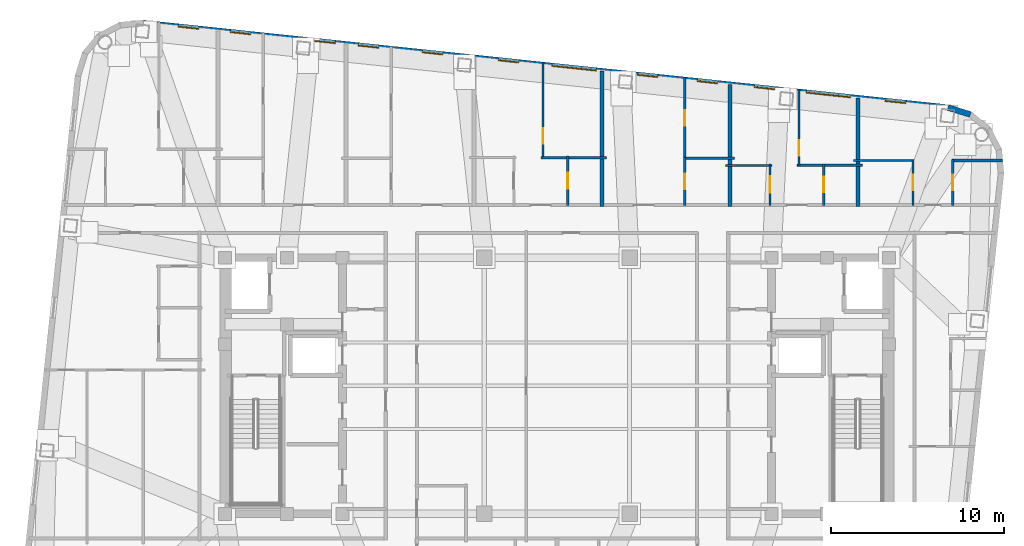
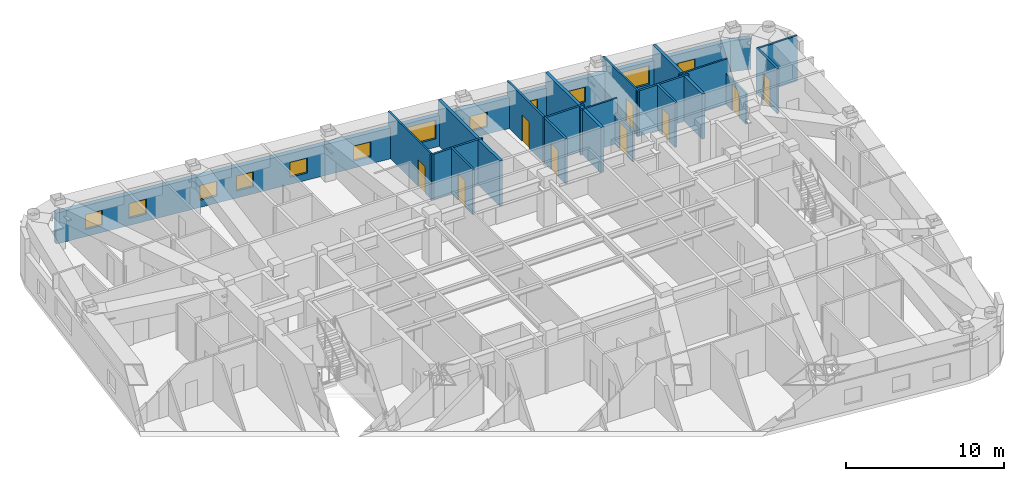
# One storey, part 9 of 12: 20 walls, 12 windows, 9 doors, 21 openings.
"""IFC4 building model written with IfcOpenShell, lengths in metres."""

from ifc_helpers import new_model, si_unit, direction, frame, frame_2d, origin, place, context, subcontext, project, spatial, rectangle, extrude, material, layer, layer_set, type_object, element, fill, save


model = new_model("IFC4")

# Units and contexts
model_context = context("Model", 3, precision=1e-05, world=origin(), true_north=direction((0.0, 1.0)))
body_context = subcontext(model_context, "Body", "Model", "MODEL_VIEW")
ifc_project = project(units=[si_unit("LENGTHUNIT", "METRE"), si_unit("AREAUNIT", "SQUARE_METRE"), si_unit("VOLUMEUNIT", "CUBIC_METRE"), si_unit("PLANEANGLEUNIT", "RADIAN"), si_unit("MASSUNIT", "GRAM", prefix="KILO")], contexts=[model_context])

# Site, building, storey
site_placement = place(None, origin())
site = spatial("IfcSite", under=ifc_project, at=site_placement, CompositionType="ELEMENT")
building_placement = place(site_placement, origin())
building = spatial("IfcBuilding", under=site, at=building_placement, Name="Voryun Gate Residences", CompositionType="ELEMENT")
storey_placement = place(building_placement, frame((0.0, 0.0, 306.800048828125)))
storey = spatial("IfcBuildingStorey", under=building, at=storey_placement, Name="L76", CompositionType="ELEMENT", Elevation=306.800048828125)

# Wall, openings, windows
ifc_material_1 = material(Name="Charcoal terracotta masonry", Category="masonry")
ifc_layer_1 = layer(ifc_material_1, 0.340087890625, Name="W_EXT_TERRACOTTA_340")
ifc_layer_set_1 = layer_set([ifc_layer_1], Name="Charcoal terracotta masonry")
wall_type_1 = type_object("IfcWallType", Name="W_EXT_TERRACOTTA_340", PredefinedType="ELEMENTEDWALL", material=ifc_layer_set_1)
wall_1_placement = place(storey_placement, frame((-23.90771484375, 20.97216796875, 0.0), z_axis=(0.0, 0.0, 1.0), x_axis=(0.994521888554, -0.104528528102, 0.0)))
wall_1 = element("IfcWall", 1, at=wall_1_placement, inside=storey, type_object=wall_type_1, Name="Exterior wall WEXT-L76-11", PredefinedType="ELEMENTEDWALL", context=body_context, shape_type="SweptSolid", body=[
    extrude(rectangle(XDim=46.766357421875, YDim=0.340087890625, at=frame_2d((23.38330078125, 0.0))), origin(), (0.0, 0.0, 1.0), 2.389892578125),
])
opening_1_placement = place(wall_1_placement, frame((23.733154296875, 0.0, 0.64990234375)))
opening_1 = element("IfcOpeningElement", 2, at=opening_1_placement, cuts=wall_1, Name="Opening WN4", PredefinedType="OPENING", context=body_context, shape_type="SweptSolid", body=[
    extrude(rectangle(XDim=2.60009765625, YDim=1.449951171875, at=frame_2d((1.300048828125, 0.72509765625))), frame((0.0, 0.179931640625, 0.0), z_axis=(0.0, -1.0, 0.0), x_axis=(1.0, 0.0, 0.0)), (0.0, 0.0, 1.0), 0.360107421875),
])
opening_2_placement = place(wall_1_placement, frame((38.522216796875, 0.0, 0.64990234375)))
opening_2 = element("IfcOpeningElement", 3, at=opening_2_placement, cuts=wall_1, Name="Opening WN4", PredefinedType="OPENING", context=body_context, shape_type="SweptSolid", body=[
    extrude(rectangle(XDim=2.60009765625, YDim=1.449951171875, at=frame_2d((1.300048828125, 0.72509765625))), frame((0.0, 0.179931640625, 0.0), z_axis=(0.0, -1.0, 0.0), x_axis=(1.0, 0.0, 0.0)), (0.0, 0.0, 1.0), 0.360107421875),
])
opening_3_placement = place(wall_1_placement, frame((2.019287109375, 0.0, 0.550048828125)))
opening_3 = element("IfcOpeningElement", 4, at=opening_3_placement, cuts=wall_1, Name="Opening WN6", PredefinedType="OPENING", context=body_context, shape_type="SweptSolid", body=[
    extrude(rectangle(XDim=1.199951171875, YDim=1.14990234375, at=frame_2d((0.60009765625, 0.574951171875))), frame((0.0, 0.179931640625, 0.0), z_axis=(0.0, -1.0, 0.0), x_axis=(1.0, 0.0, 0.0)), (0.0, 0.0, 1.0), 0.360107421875),
])
opening_4_placement = place(wall_1_placement, frame((9.96630859375, 0.0, 0.550048828125)))
opening_4 = element("IfcOpeningElement", 5, at=opening_4_placement, cuts=wall_1, Name="Opening WN6", PredefinedType="OPENING", context=body_context, shape_type="SweptSolid", body=[
    extrude(rectangle(XDim=1.199951171875, YDim=1.14990234375, at=frame_2d((0.60009765625, 0.574951171875))), frame((0.0, 0.179931640625, 0.0), z_axis=(0.0, -1.0, 0.0), x_axis=(1.0, 0.0, 0.0)), (0.0, 0.0, 1.0), 0.360107421875),
])
opening_5_placement = place(wall_1_placement, frame((5.0458984375, 0.0, 0.550048828125)))
opening_5 = element("IfcOpeningElement", 6, at=opening_5_placement, cuts=wall_1, Name="Opening WN6", PredefinedType="OPENING", context=body_context, shape_type="SweptSolid", body=[
    extrude(rectangle(XDim=1.199951171875, YDim=1.14990234375, at=frame_2d((0.60009765625, 0.574951171875))), frame((0.0, 0.179931640625, 0.0), z_axis=(0.0, -1.0, 0.0), x_axis=(1.0, 0.0, 0.0)), (0.0, 0.0, 1.0), 0.360107421875),
])
opening_6_placement = place(wall_1_placement, frame((16.207275390625, 0.0, 0.550048828125)))
opening_6 = element("IfcOpeningElement", 7, at=opening_6_placement, cuts=wall_1, Name="Opening WN6", PredefinedType="OPENING", context=body_context, shape_type="SweptSolid", body=[
    extrude(rectangle(XDim=1.199951171875, YDim=1.14990234375, at=frame_2d((0.60009765625, 0.574951171875))), frame((0.0, 0.179931640625, 0.0), z_axis=(0.0, -1.0, 0.0), x_axis=(1.0, 0.0, 0.0)), (0.0, 0.0, 1.0), 0.360107421875),
])
opening_7_placement = place(wall_1_placement, frame((12.48681640625, 0.0, 0.550048828125)))
opening_7 = element("IfcOpeningElement", 8, at=opening_7_placement, cuts=wall_1, Name="Opening WN6", PredefinedType="OPENING", context=body_context, shape_type="SweptSolid", body=[
    extrude(rectangle(XDim=1.199951171875, YDim=1.14990234375, at=frame_2d((0.60009765625, 0.574951171875))), frame((0.0, 0.179931640625, 0.0), z_axis=(0.0, -1.0, 0.0), x_axis=(1.0, 0.0, 0.0)), (0.0, 0.0, 1.0), 0.360107421875),
])
opening_8_placement = place(wall_1_placement, frame((20.621337890625, 0.0, 0.550048828125)))
opening_8 = element("IfcOpeningElement", 9, at=opening_8_placement, cuts=wall_1, Name="Opening WN6", PredefinedType="OPENING", context=body_context, shape_type="SweptSolid", body=[
    extrude(rectangle(XDim=1.199951171875, YDim=1.14990234375, at=frame_2d((0.60009765625, 0.574951171875))), frame((0.0, 0.179931640625, 0.0), z_axis=(0.0, -1.0, 0.0), x_axis=(1.0, 0.0, 0.0)), (0.0, 0.0, 1.0), 0.360107421875),
])
opening_9_placement = place(wall_1_placement, frame((28.704345703125, 0.0, 0.550048828125)))
opening_9 = element("IfcOpeningElement", 10, at=opening_9_placement, cuts=wall_1, Name="Opening WN6", PredefinedType="OPENING", context=body_context, shape_type="SweptSolid", body=[
    extrude(rectangle(XDim=1.199951171875, YDim=1.14990234375, at=frame_2d((0.60009765625, 0.574951171875))), frame((0.0, 0.179931640625, 0.0), z_axis=(0.0, -1.0, 0.0), x_axis=(1.0, 0.0, 0.0)), (0.0, 0.0, 1.0), 0.360107421875),
])
opening_10_placement = place(wall_1_placement, frame((32.184814453125, 0.0, 0.550048828125)))
opening_10 = element("IfcOpeningElement", 11, at=opening_10_placement, cuts=wall_1, Name="Opening WN6", PredefinedType="OPENING", context=body_context, shape_type="SweptSolid", body=[
    extrude(rectangle(XDim=1.199951171875, YDim=1.14990234375, at=frame_2d((0.60009765625, 0.574951171875))), frame((0.0, 0.179931640625, 0.0), z_axis=(0.0, -1.0, 0.0), x_axis=(1.0, 0.0, 0.0)), (0.0, 0.0, 1.0), 0.360107421875),
])
opening_11_placement = place(wall_1_placement, frame((35.5029296875, 0.0, 0.550048828125)))
opening_11 = element("IfcOpeningElement", 12, at=opening_11_placement, cuts=wall_1, Name="Opening WN6", PredefinedType="OPENING", context=body_context, shape_type="SweptSolid", body=[
    extrude(rectangle(XDim=1.199951171875, YDim=1.14990234375, at=frame_2d((0.60009765625, 0.574951171875))), frame((0.0, 0.179931640625, 0.0), z_axis=(0.0, -1.0, 0.0), x_axis=(1.0, 0.0, 0.0)), (0.0, 0.0, 1.0), 0.360107421875),
])
opening_12_placement = place(wall_1_placement, frame((43.105712890625, 0.0, 0.550048828125)))
opening_12 = element("IfcOpeningElement", 13, at=opening_12_placement, cuts=wall_1, Name="Opening WN6", PredefinedType="OPENING", context=body_context, shape_type="SweptSolid", body=[
    extrude(rectangle(XDim=1.199951171875, YDim=1.14990234375, at=frame_2d((0.60009765625, 0.574951171875))), frame((0.0, 0.179931640625, 0.0), z_axis=(0.0, -1.0, 0.0), x_axis=(1.0, 0.0, 0.0)), (0.0, 0.0, 1.0), 0.360107421875),
])
ifc_material_2 = material(Name="Laminated low-E glass", Category="glass")
window_type_1 = type_object("IfcWindowType", Name="WN_PENT_TALL_2600", PartitioningType="SINGLE_PANEL", PredefinedType="WINDOW", material=ifc_material_2)
window_1_placement = place(opening_1_placement, origin())
window_1 = element("IfcWindow", 14, at=window_1_placement, inside=storey, type_object=window_type_1, Name="Window WN-WEXT-L76-11-02", OverallHeight=1.449951171875, OverallWidth=2.60009765625, PartitioningType="SINGLE_PANEL", PredefinedType="WINDOW", context=body_context, shape_type="SweptSolid", body=[
    extrude(rectangle(XDim=2.60009765625, YDim=1.449951171875, at=frame_2d((1.300048828125, 0.72509765625))), frame((0.0, 0.030029296875, 0.0), z_axis=(0.0, -1.0, 0.0), x_axis=(1.0, 0.0, 0.0)), (0.0, 0.0, 1.0), 0.06005859375),
])
fill(opening_1, window_1)
window_2_placement = place(opening_2_placement, origin())
window_2 = element("IfcWindow", 15, at=window_2_placement, inside=storey, type_object=window_type_1, Name="Window WN-WEXT-L76-11-03", OverallHeight=1.449951171875, OverallWidth=2.60009765625, PartitioningType="SINGLE_PANEL", PredefinedType="WINDOW", context=body_context, shape_type="SweptSolid", body=[
    extrude(rectangle(XDim=2.60009765625, YDim=1.449951171875, at=frame_2d((1.300048828125, 0.72509765625))), frame((0.0, 0.030029296875, 0.0), z_axis=(0.0, -1.0, 0.0), x_axis=(1.0, 0.0, 0.0)), (0.0, 0.0, 1.0), 0.06005859375),
])
fill(opening_2, window_2)
ifc_material_3 = material(Name="Laminated low-E glass", Category="glass")
window_type_2 = type_object("IfcWindowType", Name="WN_POD_SLOT_1200", PartitioningType="SINGLE_PANEL", PredefinedType="WINDOW", material=ifc_material_3)
window_3_placement = place(opening_3_placement, origin())
window_3 = element("IfcWindow", 16, at=window_3_placement, inside=storey, type_object=window_type_2, Name="Window WN-L76-DWFIX-02", OverallHeight=1.14990234375, OverallWidth=1.199951171875, PartitioningType="SINGLE_PANEL", PredefinedType="WINDOW", context=body_context, shape_type="SweptSolid", body=[
    extrude(rectangle(XDim=1.199951171875, YDim=1.14990234375, at=frame_2d((0.60009765625, 0.574951171875))), frame((0.0, 0.030029296875, 0.0), z_axis=(0.0, -1.0, 0.0), x_axis=(1.0, 0.0, 0.0)), (0.0, 0.0, 1.0), 0.06005859375),
])
fill(opening_3, window_3)
window_4_placement = place(opening_4_placement, origin())
window_4 = element("IfcWindow", 17, at=window_4_placement, inside=storey, type_object=window_type_2, Name="Window WN-L76-DWFIX-03", OverallHeight=1.14990234375, OverallWidth=1.199951171875, PartitioningType="SINGLE_PANEL", PredefinedType="WINDOW", context=body_context, shape_type="SweptSolid", body=[
    extrude(rectangle(XDim=1.199951171875, YDim=1.14990234375, at=frame_2d((0.60009765625, 0.574951171875))), frame((0.0, 0.030029296875, 0.0), z_axis=(0.0, -1.0, 0.0), x_axis=(1.0, 0.0, 0.0)), (0.0, 0.0, 1.0), 0.06005859375),
])
fill(opening_4, window_4)
window_5_placement = place(opening_5_placement, origin())
window_5 = element("IfcWindow", 18, at=window_5_placement, inside=storey, type_object=window_type_2, Name="Window WN-L76-DWFIX-04", OverallHeight=1.14990234375, OverallWidth=1.199951171875, PartitioningType="SINGLE_PANEL", PredefinedType="WINDOW", context=body_context, shape_type="SweptSolid", body=[
    extrude(rectangle(XDim=1.199951171875, YDim=1.14990234375, at=frame_2d((0.60009765625, 0.574951171875))), frame((0.0, 0.030029296875, 0.0), z_axis=(0.0, -1.0, 0.0), x_axis=(1.0, 0.0, 0.0)), (0.0, 0.0, 1.0), 0.06005859375),
])
fill(opening_5, window_5)
window_6_placement = place(opening_6_placement, origin())
window_6 = element("IfcWindow", 19, at=window_6_placement, inside=storey, type_object=window_type_2, Name="Window WN-L76-DWFIX-05", OverallHeight=1.14990234375, OverallWidth=1.199951171875, PartitioningType="SINGLE_PANEL", PredefinedType="WINDOW", context=body_context, shape_type="SweptSolid", body=[
    extrude(rectangle(XDim=1.199951171875, YDim=1.14990234375, at=frame_2d((0.60009765625, 0.574951171875))), frame((0.0, 0.030029296875, 0.0), z_axis=(0.0, -1.0, 0.0), x_axis=(1.0, 0.0, 0.0)), (0.0, 0.0, 1.0), 0.06005859375),
])
fill(opening_6, window_6)
window_7_placement = place(opening_7_placement, origin())
window_7 = element("IfcWindow", 20, at=window_7_placement, inside=storey, type_object=window_type_2, Name="Window WN-L76-DWFIX-06", OverallHeight=1.14990234375, OverallWidth=1.199951171875, PartitioningType="SINGLE_PANEL", PredefinedType="WINDOW", context=body_context, shape_type="SweptSolid", body=[
    extrude(rectangle(XDim=1.199951171875, YDim=1.14990234375, at=frame_2d((0.60009765625, 0.574951171875))), frame((0.0, 0.030029296875, 0.0), z_axis=(0.0, -1.0, 0.0), x_axis=(1.0, 0.0, 0.0)), (0.0, 0.0, 1.0), 0.06005859375),
])
fill(opening_7, window_7)
window_8_placement = place(opening_8_placement, origin())
window_8 = element("IfcWindow", 21, at=window_8_placement, inside=storey, type_object=window_type_2, Name="Window WN-L76-DWFIX-07", OverallHeight=1.14990234375, OverallWidth=1.199951171875, PartitioningType="SINGLE_PANEL", PredefinedType="WINDOW", context=body_context, shape_type="SweptSolid", body=[
    extrude(rectangle(XDim=1.199951171875, YDim=1.14990234375, at=frame_2d((0.60009765625, 0.574951171875))), frame((0.0, 0.030029296875, 0.0), z_axis=(0.0, -1.0, 0.0), x_axis=(1.0, 0.0, 0.0)), (0.0, 0.0, 1.0), 0.06005859375),
])
fill(opening_8, window_8)
window_9_placement = place(opening_9_placement, origin())
window_9 = element("IfcWindow", 22, at=window_9_placement, inside=storey, type_object=window_type_2, Name="Window WN-L76-DWFIX-08", OverallHeight=1.14990234375, OverallWidth=1.199951171875, PartitioningType="SINGLE_PANEL", PredefinedType="WINDOW", context=body_context, shape_type="SweptSolid", body=[
    extrude(rectangle(XDim=1.199951171875, YDim=1.14990234375, at=frame_2d((0.60009765625, 0.574951171875))), frame((0.0, 0.030029296875, 0.0), z_axis=(0.0, -1.0, 0.0), x_axis=(1.0, 0.0, 0.0)), (0.0, 0.0, 1.0), 0.06005859375),
])
fill(opening_9, window_9)
window_10_placement = place(opening_10_placement, origin())
window_10 = element("IfcWindow", 23, at=window_10_placement, inside=storey, type_object=window_type_2, Name="Window WN-L76-DWFIX-09", OverallHeight=1.14990234375, OverallWidth=1.199951171875, PartitioningType="SINGLE_PANEL", PredefinedType="WINDOW", context=body_context, shape_type="SweptSolid", body=[
    extrude(rectangle(XDim=1.199951171875, YDim=1.14990234375, at=frame_2d((0.60009765625, 0.574951171875))), frame((0.0, 0.030029296875, 0.0), z_axis=(0.0, -1.0, 0.0), x_axis=(1.0, 0.0, 0.0)), (0.0, 0.0, 1.0), 0.06005859375),
])
fill(opening_10, window_10)
window_11_placement = place(opening_11_placement, origin())
window_11 = element("IfcWindow", 24, at=window_11_placement, inside=storey, type_object=window_type_2, Name="Window WN-L76-DWFIX-10", OverallHeight=1.14990234375, OverallWidth=1.199951171875, PartitioningType="SINGLE_PANEL", PredefinedType="WINDOW", context=body_context, shape_type="SweptSolid", body=[
    extrude(rectangle(XDim=1.199951171875, YDim=1.14990234375, at=frame_2d((0.60009765625, 0.574951171875))), frame((0.0, 0.030029296875, 0.0), z_axis=(0.0, -1.0, 0.0), x_axis=(1.0, 0.0, 0.0)), (0.0, 0.0, 1.0), 0.06005859375),
])
fill(opening_11, window_11)
window_12_placement = place(opening_12_placement, origin())
window_12 = element("IfcWindow", 25, at=window_12_placement, inside=storey, type_object=window_type_2, Name="Window WN-L76-DWFIX-11", OverallHeight=1.14990234375, OverallWidth=1.199951171875, PartitioningType="SINGLE_PANEL", PredefinedType="WINDOW", context=body_context, shape_type="SweptSolid", body=[
    extrude(rectangle(XDim=1.199951171875, YDim=1.14990234375, at=frame_2d((0.60009765625, 0.574951171875))), frame((0.0, 0.030029296875, 0.0), z_axis=(0.0, -1.0, 0.0), x_axis=(1.0, 0.0, 0.0)), (0.0, 0.0, 1.0), 0.06005859375),
])
fill(opening_12, window_12)

# Walls
wall_2_placement = place(storey_placement, frame((22.6025390625, 16.083740234375, 0.0), z_axis=(0.0, 0.0, 1.0), x_axis=(0.955007802701, -0.296580674994, 0.0)))
element("IfcWall", 26, at=wall_2_placement, inside=storey, type_object=wall_type_1, Name="Exterior wall WEXT-L76-12", PredefinedType="ELEMENTEDWALL", context=body_context, shape_type="SweptSolid", body=[
    extrude(rectangle(XDim=1.354248046875, YDim=0.340087890625, at=frame_2d((0.67724609375, 0.0))), origin(), (0.0, 0.0, 1.0), 2.389892578125),
])
ifc_material_4 = material(Name="Concrete C40/50", Category="concrete")
ifc_layer_2 = layer(ifc_material_4, 0.219970703125, Name="W_PARTY_ACOUSTIC_220")
ifc_layer_set_2 = layer_set([ifc_layer_2], Name="Concrete C40/50")
wall_type_2 = type_object("IfcWallType", Name="W_PARTY_ACOUSTIC_220", PredefinedType="PARTITIONING", material=ifc_layer_set_2)
wall_3_placement = place(storey_placement, frame((2.60009765625, 10.3701171875, 0.0), z_axis=(0.0, 0.0, 1.0), x_axis=(0.0, 1.0, 0.0)))
element("IfcWall", 27, at=wall_3_placement, inside=storey, type_object=wall_type_2, Name="Partition wall WP-L76-NPTY-4", PredefinedType="PARTITIONING", context=body_context, shape_type="SweptSolid", body=[
    extrude(rectangle(XDim=7.81591796875, YDim=0.219970703125, at=frame_2d((3.907958984375, 0.0))), origin(), (0.0, 0.0, 1.0), 3.5),
])
wall_4_placement = place(storey_placement, frame((10.0, 10.3701171875, 0.0), z_axis=(0.0, 0.0, 1.0), x_axis=(0.0, 1.0, 0.0)))
element("IfcWall", 28, at=wall_4_placement, inside=storey, type_object=wall_type_2, Name="Partition wall WP-L76-NPTY-5", PredefinedType="PARTITIONING", context=body_context, shape_type="SweptSolid", body=[
    extrude(rectangle(XDim=7.0380859375, YDim=0.219970703125, at=frame_2d((3.51904296875, 0.0))), origin(), (0.0, 0.0, 1.0), 3.5),
])
wall_5_placement = place(storey_placement, frame((17.39990234375, 10.3701171875, 0.0), z_axis=(0.0, 0.0, 1.0), x_axis=(0.0, 1.0, 0.0)))
element("IfcWall", 29, at=wall_5_placement, inside=storey, type_object=wall_type_2, Name="Partition wall WP-L76-NPTY-6", PredefinedType="PARTITIONING", context=body_context, shape_type="SweptSolid", body=[
    extrude(rectangle(XDim=6.260498046875, YDim=0.219970703125, at=frame_2d((3.13037109375, 0.0))), origin(), (0.0, 0.0, 1.0), 3.5),
])

# Wall, opening, door
ifc_material_5 = material(Name="Gypsum acoustic partition")
ifc_layer_3 = layer(ifc_material_5, 0.125, Name="W_UNIT_PART_125")
ifc_layer_set_3 = layer_set([ifc_layer_3], Name="Gypsum acoustic partition")
wall_type_3 = type_object("IfcWallType", Name="W_UNIT_PART_125", PredefinedType="PARTITIONING", material=ifc_layer_set_3)
wall_6_placement = place(storey_placement, frame((-0.81005859375, 13.10791015625, 0.0), z_axis=(0.0, 0.0, 1.0), x_axis=(0.0, 1.0, 0.0)))
wall_6 = element("IfcWall", 30, at=wall_6_placement, inside=storey, type_object=wall_type_3, Name="Partition wall WP-L76-N4-OVR", PredefinedType="PARTITIONING", context=body_context, shape_type="SweptSolid", body=[
    extrude(rectangle(XDim=5.58740234375, YDim=0.125, at=frame_2d((2.793701171875, 0.0))), origin(), (0.0, 0.0, 1.0), 3.5),
])
opening_13_placement = place(wall_6_placement, frame((0.89111328125, 0.0, 0.0)))
opening_13 = element("IfcOpeningElement", 31, at=opening_13_placement, cuts=wall_6, Name="Opening D-INT-2", PredefinedType="OPENING", context=body_context, shape_type="SweptSolid", body=[
    extrude(rectangle(XDim=0.89990234375, YDim=2.050048828125, at=frame_2d((0.449951171875, 1.02490234375))), frame((0.0, 0.072509765625, 0.0), z_axis=(0.0, -1.0, 0.0), x_axis=(1.0, 0.0, 0.0)), (0.0, 0.0, 1.0), 0.14501953125),
])
ifc_material_6 = material(Name="Architectural oak veneer")
door_type_1 = type_object("IfcDoorType", Name="DR_INT_BATH_900", OperationType="NOTDEFINED", PredefinedType="DOOR", material=ifc_material_6)
door_1_placement = place(opening_13_placement, origin())
door_1 = element("IfcDoor", 32, at=door_1_placement, inside=storey, type_object=door_type_1, Name="Door DR-L76-N4-DMB", OperationType="SINGLE_SWING_RIGHT", OverallHeight=2.050048828125, OverallWidth=0.89990234375, PredefinedType="DOOR", context=body_context, shape_type="SweptSolid", body=[
    extrude(rectangle(XDim=0.89990234375, YDim=2.050048828125, at=frame_2d((0.449951171875, 1.02490234375))), frame((0.0, 0.02490234375, 0.0), z_axis=(0.0, -1.0, 0.0), x_axis=(1.0, 0.0, 0.0)), (0.0, 0.0, 1.0), 0.050048828125),
])
fill(opening_13, door_1)

wall_7_placement = place(storey_placement, frame((13.989990234375, 12.662109375, 0.0), z_axis=(0.0, 0.0, 1.0), x_axis=(0.0, 1.0, 0.0)))
wall_7 = element("IfcWall", 33, at=wall_7_placement, inside=storey, type_object=wall_type_3, Name="Partition wall WP-L76-N6-OVR", PredefinedType="PARTITIONING", context=body_context, shape_type="SweptSolid", body=[
    extrude(rectangle(XDim=4.477783203125, YDim=0.125, at=frame_2d((2.23876953125, 0.0))), origin(), (0.0, 0.0, 1.0), 3.5),
])
opening_14_placement = place(wall_7_placement, frame((0.624755859375, 0.0, 0.0)))
opening_14 = element("IfcOpeningElement", 34, at=opening_14_placement, cuts=wall_7, Name="Opening D-INT-2", PredefinedType="OPENING", context=body_context, shape_type="SweptSolid", body=[
    extrude(rectangle(XDim=0.89990234375, YDim=2.050048828125, at=frame_2d((0.449951171875, 1.02490234375))), frame((0.0, 0.072509765625, 0.0), z_axis=(0.0, -1.0, 0.0), x_axis=(1.0, 0.0, 0.0)), (0.0, 0.0, 1.0), 0.14501953125),
])
door_2_placement = place(opening_14_placement, origin())
door_2 = element("IfcDoor", 35, at=door_2_placement, inside=storey, type_object=door_type_1, Name="Door DR-L76-N6-DMB", OperationType="SINGLE_SWING_RIGHT", OverallHeight=2.050048828125, OverallWidth=0.89990234375, PredefinedType="DOOR", context=body_context, shape_type="SweptSolid", body=[
    extrude(rectangle(XDim=0.89990234375, YDim=2.050048828125, at=frame_2d((0.449951171875, 1.02490234375))), frame((0.0, 0.02490234375, 0.0), z_axis=(0.0, -1.0, 0.0), x_axis=(1.0, 0.0, 0.0)), (0.0, 0.0, 1.0), 0.050048828125),
])
fill(opening_14, door_2)

wall_8_placement = place(storey_placement, frame((12.31005859375, 10.429931640625, 0.0), z_axis=(0.0, 0.0, 1.0), x_axis=(0.0, 1.0, 0.0)))
wall_8 = element("IfcWall", 36, at=wall_8_placement, inside=storey, type_object=wall_type_3, Name="Partition wall WP-L76-N6-IVK", PredefinedType="PARTITIONING", context=body_context, shape_type="SweptSolid", body=[
    extrude(rectangle(XDim=2.39208984375, YDim=0.125, at=frame_2d((1.196044921875, 0.0))), origin(), (0.0, 0.0, 1.0), 2.389892578125),
])
opening_15_placement = place(wall_8_placement, frame((0.720947265625, 0.0, 0.0)))
opening_15 = element("IfcOpeningElement", 37, at=opening_15_placement, cuts=wall_8, Name="Opening D-INT-1", PredefinedType="OPENING", context=body_context, shape_type="SweptSolid", body=[
    extrude(rectangle(XDim=0.949951171875, YDim=2.050048828125, at=frame_2d((0.47509765625, 1.02490234375))), frame((0.0, 0.072509765625, 0.0), z_axis=(0.0, -1.0, 0.0), x_axis=(1.0, 0.0, 0.0)), (0.0, 0.0, 1.0), 0.14501953125),
])
ifc_material_7 = material(Name="Architectural oak veneer")
door_type_2 = type_object("IfcDoorType", Name="DR_INT_ROOM_950", OperationType="NOTDEFINED", PredefinedType="DOOR", material=ifc_material_7)
door_3_placement = place(opening_15_placement, origin())
door_3 = element("IfcDoor", 38, at=door_3_placement, inside=storey, type_object=door_type_2, Name="Door DR-L76-N6-DK", OperationType="SINGLE_SWING_LEFT", OverallHeight=2.050048828125, OverallWidth=0.949951171875, PredefinedType="DOOR", context=body_context, shape_type="SweptSolid", body=[
    extrude(rectangle(XDim=0.949951171875, YDim=2.050048828125, at=frame_2d((0.47509765625, 1.02490234375))), frame((0.0, 0.02490234375, 0.0), z_axis=(0.0, -1.0, 0.0), x_axis=(1.0, 0.0, 0.0)), (0.0, 0.0, 1.0), 0.050048828125),
])
fill(opening_15, door_3)

# Wall
wall_9_placement = place(storey_placement, frame((9.739990234375, 12.741943359375, 0.0), z_axis=(0.0, 0.0, 1.0), x_axis=(1.0, 0.0, 0.0)))
element("IfcWall", 39, at=wall_9_placement, inside=storey, type_object=wall_type_3, Name="Partition wall WP-L76-N6-HZK", PredefinedType="PARTITIONING", context=body_context, shape_type="SweptSolid", body=[
    extrude(rectangle(XDim=2.68994140625, YDim=0.125, at=frame_2d((1.344970703125, 0.0))), origin(), (0.0, 0.0, 1.0), 3.5),
])

# Wall, opening, door
wall_10_placement = place(storey_placement, frame((20.58203125, 10.429931640625, 0.0), z_axis=(0.0, 0.0, 1.0), x_axis=(0.0, 1.0, 0.0)))
wall_10 = element("IfcWall", 40, at=wall_10_placement, inside=storey, type_object=wall_type_3, Name="Partition wall WP-L76-N7-CVK", PredefinedType="PARTITIONING", context=body_context, shape_type="SweptSolid", body=[
    extrude(rectangle(XDim=2.650146484375, YDim=0.125, at=frame_2d((1.3251953125, 0.0))), origin(), (0.0, 0.0, 1.0), 2.389892578125),
])
opening_16_placement = place(wall_10_placement, frame((0.875, 0.0, 0.0)))
opening_16 = element("IfcOpeningElement", 41, at=opening_16_placement, cuts=wall_10, Name="Opening D-INT-2", PredefinedType="OPENING", context=body_context, shape_type="SweptSolid", body=[
    extrude(rectangle(XDim=0.89990234375, YDim=2.050048828125, at=frame_2d((0.449951171875, 1.02490234375))), frame((0.0, 0.072509765625, 0.0), z_axis=(0.0, -1.0, 0.0), x_axis=(1.0, 0.0, 0.0)), (0.0, 0.0, 1.0), 0.14501953125),
])
door_4_placement = place(opening_16_placement, origin())
door_4 = element("IfcDoor", 42, at=door_4_placement, inside=storey, type_object=door_type_1, Name="Door DR-L76-N7-DK", OperationType="SINGLE_SWING_LEFT", OverallHeight=2.050048828125, OverallWidth=0.89990234375, PredefinedType="DOOR", context=body_context, shape_type="SweptSolid", body=[
    extrude(rectangle(XDim=0.89990234375, YDim=2.050048828125, at=frame_2d((0.449951171875, 1.02490234375))), frame((0.0, 0.02490234375, 0.0), z_axis=(0.0, -1.0, 0.0), x_axis=(1.0, 0.0, 0.0)), (0.0, 0.0, 1.0), 0.050048828125),
])
fill(opening_16, door_4)

# Walls
wall_11_placement = place(storey_placement, frame((17.139892578125, 13.02001953125, 0.0), z_axis=(0.0, 0.0, 1.0), x_axis=(1.0, 0.0, 0.0)))
element("IfcWall", 43, at=wall_11_placement, inside=storey, type_object=wall_type_3, Name="Partition wall WP-L76-N7-CHK", PredefinedType="PARTITIONING", context=body_context, shape_type="SweptSolid", body=[
    extrude(rectangle(XDim=3.502197265625, YDim=0.125, at=frame_2d((1.7509765625, 0.0))), origin(), (0.0, 0.0, 1.0), 3.5),
])
ifc_material_8 = material(Name="Gypsum moisture-resistant partition")
ifc_layer_4 = layer(ifc_material_8, 0.14990234375, Name="W_WET_PLUMB_150")
ifc_layer_set_4 = layer_set([ifc_layer_4], Name="Gypsum moisture-resistant partition")
wall_type_4 = type_object("IfcWallType", Name="W_WET_PLUMB_150", PredefinedType="PLUMBINGWALL", material=ifc_layer_set_4)
wall_12_placement = place(storey_placement, frame((-0.929931640625, 13.18798828125, 0.0), z_axis=(0.0, 0.0, 1.0), x_axis=(1.0, 0.0, 0.0)))
element("IfcWall", 44, at=wall_12_placement, inside=storey, type_object=wall_type_4, Name="Partition wall WP-L76-N4-HZB", PredefinedType="PLUMBINGWALL", context=body_context, shape_type="SweptSolid", body=[
    extrude(rectangle(XDim=3.7900390625, YDim=0.14990234375, at=frame_2d((1.89501953125, 0.0))), origin(), (0.0, 0.0, 1.0), 3.5),
])

# Wall, opening, door
wall_13_placement = place(storey_placement, frame((0.6201171875, 10.429931640625, 0.0), z_axis=(0.0, 0.0, 1.0), x_axis=(0.0, 1.0, 0.0)))
wall_13 = element("IfcWall", 45, at=wall_13_placement, inside=storey, type_object=wall_type_4, Name="Partition wall WP-L76-N4-IVB", PredefinedType="PLUMBINGWALL", context=body_context, shape_type="SweptSolid", body=[
    extrude(rectangle(XDim=2.838134765625, YDim=0.14990234375, at=frame_2d((1.4189453125, 0.0))), origin(), (0.0, 0.0, 1.0), 3.5),
])
opening_17_placement = place(wall_13_placement, frame((0.968994140625, 0.0, 0.0)))
opening_17 = element("IfcOpeningElement", 46, at=opening_17_placement, cuts=wall_13, Name="Opening D-INT-2", PredefinedType="OPENING", context=body_context, shape_type="SweptSolid", body=[
    extrude(rectangle(XDim=0.89990234375, YDim=2.050048828125, at=frame_2d((0.449951171875, 1.02490234375))), frame((0.0, 0.0849609375, 0.0), z_axis=(0.0, -1.0, 0.0), x_axis=(1.0, 0.0, 0.0)), (0.0, 0.0, 1.0), 0.169921875),
])
door_5_placement = place(opening_17_placement, origin())
door_5 = element("IfcDoor", 47, at=door_5_placement, inside=storey, type_object=door_type_1, Name="Door DR-L76-N4-DB", OperationType="SINGLE_SWING_RIGHT", OverallHeight=2.050048828125, OverallWidth=0.89990234375, PredefinedType="DOOR", context=body_context, shape_type="SweptSolid", body=[
    extrude(rectangle(XDim=0.89990234375, YDim=2.050048828125, at=frame_2d((0.449951171875, 1.02490234375))), frame((0.0, 0.02490234375, 0.0), z_axis=(0.0, -1.0, 0.0), x_axis=(1.0, 0.0, 0.0)), (0.0, 0.0, 1.0), 0.050048828125),
])
fill(opening_17, door_5)

# Wall
wall_14_placement = place(storey_placement, frame((7.31005859375, 13.14990234375, 0.0), z_axis=(0.0, 0.0, 1.0), x_axis=(1.0, 0.0, 0.0)))
element("IfcWall", 48, at=wall_14_placement, inside=storey, type_object=wall_type_4, Name="Partition wall WP-L76-N5-SKB", PredefinedType="PLUMBINGWALL", context=body_context, shape_type="SweptSolid", body=[
    extrude(rectangle(XDim=2.949951171875, YDim=0.14990234375, at=frame_2d((1.47509765625, 0.0))), origin(), (0.0, 0.0, 1.0), 3.5),
])

# Wall, opening, door
wall_15_placement = place(storey_placement, frame((7.389892578125, 10.429931640625, 0.0), z_axis=(0.0, 0.0, 1.0), x_axis=(0.0, 1.0, 0.0)))
wall_15 = element("IfcWall", 49, at=wall_15_placement, inside=storey, type_object=wall_type_4, Name="Partition wall WP-L76-N5-SVT1", PredefinedType="PLUMBINGWALL", context=body_context, shape_type="SweptSolid", body=[
    extrude(rectangle(XDim=2.760009765625, YDim=0.14990234375, at=frame_2d((1.3798828125, 0.0))), origin(), (0.0, 0.0, 1.0), 3.5),
])
opening_18_placement = place(wall_15_placement, frame((0.929931640625, 0.0, 0.0)))
opening_18 = element("IfcOpeningElement", 50, at=opening_18_placement, cuts=wall_15, Name="Opening D-INT-2", PredefinedType="OPENING", context=body_context, shape_type="SweptSolid", body=[
    extrude(rectangle(XDim=0.89990234375, YDim=2.050048828125, at=frame_2d((0.449951171875, 1.02490234375))), frame((0.0, 0.0849609375, 0.0), z_axis=(0.0, -1.0, 0.0), x_axis=(1.0, 0.0, 0.0)), (0.0, 0.0, 1.0), 0.169921875),
])
door_6_placement = place(opening_18_placement, origin())
door_6 = element("IfcDoor", 51, at=door_6_placement, inside=storey, type_object=door_type_1, Name="Door DR-L76-N5-DB", OperationType="SINGLE_SWING_LEFT", OverallHeight=2.050048828125, OverallWidth=0.89990234375, PredefinedType="DOOR", context=body_context, shape_type="SweptSolid", body=[
    extrude(rectangle(XDim=0.89990234375, YDim=2.050048828125, at=frame_2d((0.449951171875, 1.02490234375))), frame((0.0, 0.02490234375, 0.0), z_axis=(0.0, -1.0, 0.0), x_axis=(1.0, 0.0, 0.0)), (0.0, 0.0, 1.0), 0.050048828125),
])
fill(opening_18, door_6)

wall_16_placement = place(storey_placement, frame((7.389892578125, 13.110107421875, 0.0), z_axis=(0.0, 0.0, 1.0), x_axis=(0.0, 1.0, 0.0)))
wall_16 = element("IfcWall", 52, at=wall_16_placement, inside=storey, type_object=wall_type_4, Name="Partition wall WP-L76-N5-SVT2", PredefinedType="PLUMBINGWALL", context=body_context, shape_type="SweptSolid", body=[
    extrude(rectangle(XDim=4.723388671875, YDim=0.14990234375, at=frame_2d((2.36181640625, 0.0))), origin(), (0.0, 0.0, 1.0), 3.5),
])
opening_19_placement = place(wall_16_placement, frame((1.911865234375, 0.0, 0.0)))
opening_19 = element("IfcOpeningElement", 53, at=opening_19_placement, cuts=wall_16, Name="Opening D-INT-2", PredefinedType="OPENING", context=body_context, shape_type="SweptSolid", body=[
    extrude(rectangle(XDim=0.89990234375, YDim=2.050048828125, at=frame_2d((0.449951171875, 1.02490234375))), frame((0.0, 0.0849609375, 0.0), z_axis=(0.0, -1.0, 0.0), x_axis=(1.0, 0.0, 0.0)), (0.0, 0.0, 1.0), 0.169921875),
])
door_7_placement = place(opening_19_placement, origin())
door_7 = element("IfcDoor", 54, at=door_7_placement, inside=storey, type_object=door_type_1, Name="Door DR-L76-N5-DK", OperationType="SINGLE_SWING_RIGHT", OverallHeight=2.050048828125, OverallWidth=0.89990234375, PredefinedType="DOOR", context=body_context, shape_type="SweptSolid", body=[
    extrude(rectangle(XDim=0.89990234375, YDim=2.050048828125, at=frame_2d((0.449951171875, 1.02490234375))), frame((0.0, 0.02490234375, 0.0), z_axis=(0.0, -1.0, 0.0), x_axis=(1.0, 0.0, 0.0)), (0.0, 0.0, 1.0), 0.050048828125),
])
fill(opening_19, door_7)

# Wall
wall_17_placement = place(storey_placement, frame((13.8701171875, 12.741943359375, 0.0), z_axis=(0.0, 0.0, 1.0), x_axis=(1.0, 0.0, 0.0)))
element("IfcWall", 55, at=wall_17_placement, inside=storey, type_object=wall_type_4, Name="Partition wall WP-L76-N6-HZB", PredefinedType="PLUMBINGWALL", context=body_context, shape_type="SweptSolid", body=[
    extrude(rectangle(XDim=3.789794921875, YDim=0.14990234375, at=frame_2d((1.89501953125, 0.0))), origin(), (0.0, 0.0, 1.0), 3.5),
])

# Wall, opening, door
wall_18_placement = place(storey_placement, frame((15.419921875, 10.429931640625, 0.0), z_axis=(0.0, 0.0, 1.0), x_axis=(0.0, 1.0, 0.0)))
wall_18 = element("IfcWall", 56, at=wall_18_placement, inside=storey, type_object=wall_type_4, Name="Partition wall WP-L76-N6-IVB", PredefinedType="PLUMBINGWALL", context=body_context, shape_type="SweptSolid", body=[
    extrude(rectangle(XDim=2.39208984375, YDim=0.14990234375, at=frame_2d((1.196044921875, 0.0))), origin(), (0.0, 0.0, 1.0), 3.5),
])
opening_20_placement = place(wall_18_placement, frame((0.74609375, 0.0, 0.0)))
opening_20 = element("IfcOpeningElement", 57, at=opening_20_placement, cuts=wall_18, Name="Opening D-INT-2", PredefinedType="OPENING", context=body_context, shape_type="SweptSolid", body=[
    extrude(rectangle(XDim=0.89990234375, YDim=2.050048828125, at=frame_2d((0.449951171875, 1.02490234375))), frame((0.0, 0.0849609375, 0.0), z_axis=(0.0, -1.0, 0.0), x_axis=(1.0, 0.0, 0.0)), (0.0, 0.0, 1.0), 0.169921875),
])
door_8_placement = place(opening_20_placement, origin())
door_8 = element("IfcDoor", 58, at=door_8_placement, inside=storey, type_object=door_type_1, Name="Door DR-L76-N6-DB", OperationType="SINGLE_SWING_RIGHT", OverallHeight=2.050048828125, OverallWidth=0.89990234375, PredefinedType="DOOR", context=body_context, shape_type="SweptSolid", body=[
    extrude(rectangle(XDim=0.89990234375, YDim=2.050048828125, at=frame_2d((0.449951171875, 1.02490234375))), frame((0.0, 0.02490234375, 0.0), z_axis=(0.0, -1.0, 0.0), x_axis=(1.0, 0.0, 0.0)), (0.0, 0.0, 1.0), 0.050048828125),
])
fill(opening_20, door_8)

wall_19_placement = place(storey_placement, frame((22.883056640625, 10.429931640625, 0.0), z_axis=(0.0, 0.0, 1.0), x_axis=(0.0, 1.0, 0.0)))
wall_19 = element("IfcWall", 59, at=wall_19_placement, inside=storey, type_object=wall_type_4, Name="Partition wall WP-L76-N7-CVB", PredefinedType="PLUMBINGWALL", context=body_context, shape_type="SweptSolid", body=[
    extrude(rectangle(XDim=2.650146484375, YDim=0.14990234375, at=frame_2d((1.3251953125, 0.0))), origin(), (0.0, 0.0, 1.0), 3.5),
])
opening_21_placement = place(wall_19_placement, frame((0.875, 0.0, 0.0)))
opening_21 = element("IfcOpeningElement", 60, at=opening_21_placement, cuts=wall_19, Name="Opening D-INT-2", PredefinedType="OPENING", context=body_context, shape_type="SweptSolid", body=[
    extrude(rectangle(XDim=0.89990234375, YDim=2.050048828125, at=frame_2d((0.449951171875, 1.02490234375))), frame((0.0, 0.0849609375, 0.0), z_axis=(0.0, -1.0, 0.0), x_axis=(1.0, 0.0, 0.0)), (0.0, 0.0, 1.0), 0.169921875),
])
door_9_placement = place(opening_21_placement, origin())
door_9 = element("IfcDoor", 61, at=door_9_placement, inside=storey, type_object=door_type_1, Name="Door DR-L76-N7-DB", OperationType="SINGLE_SWING_RIGHT", OverallHeight=2.050048828125, OverallWidth=0.89990234375, PredefinedType="DOOR", context=body_context, shape_type="SweptSolid", body=[
    extrude(rectangle(XDim=0.89990234375, YDim=2.050048828125, at=frame_2d((0.449951171875, 1.02490234375))), frame((0.0, 0.02490234375, 0.0), z_axis=(0.0, -1.0, 0.0), x_axis=(1.0, 0.0, 0.0)), (0.0, 0.0, 1.0), 0.050048828125),
])
fill(opening_21, door_9)

# Wall
wall_20_placement = place(storey_placement, frame((22.822998046875, 13.02001953125, 0.0), z_axis=(0.0, 0.0, 1.0), x_axis=(1.0, 0.0, 0.0)))
element("IfcWall", 62, at=wall_20_placement, inside=storey, type_object=wall_type_4, Name="Partition wall WP-L76-N7-CHB", PredefinedType="PLUMBINGWALL", context=body_context, shape_type="SweptSolid", body=[
    extrude(rectangle(XDim=2.93115234375, YDim=0.14990234375, at=frame_2d((1.465576171875, 0.0))), origin(), (0.0, 0.0, 1.0), 3.5),
])

save(model, "model.ifc")
